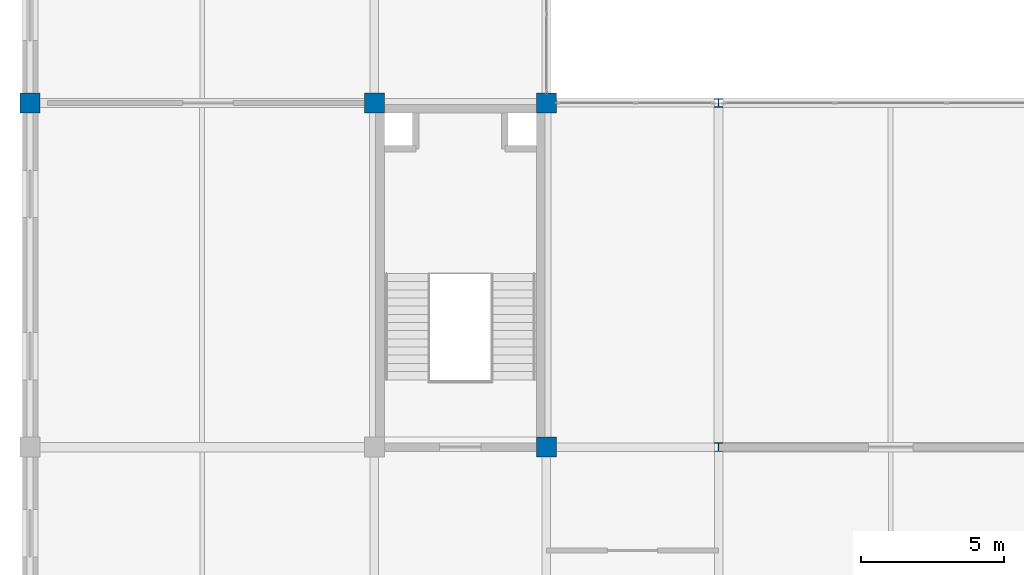
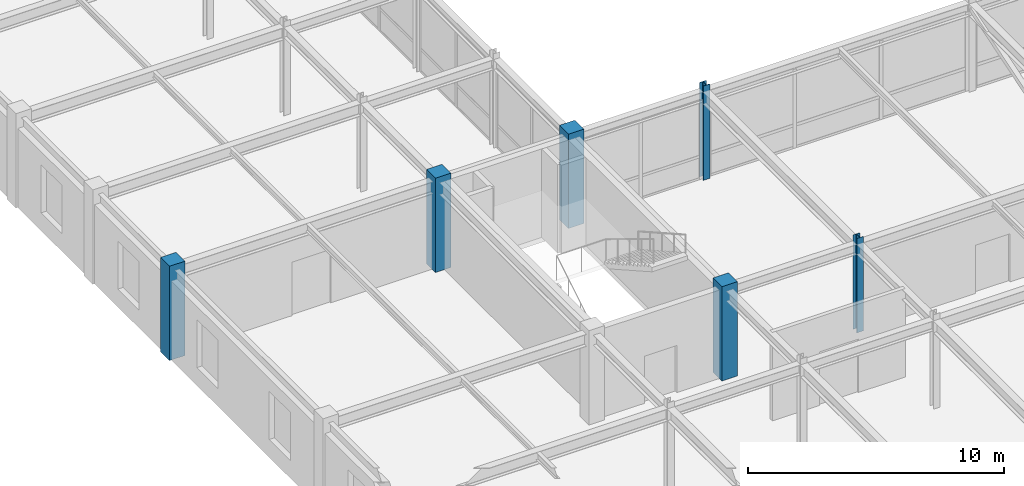
# One storey, part 2 of 108: 6 columns.
"""IFC4 building model written with IfcOpenShell, lengths in metres."""

from ifc_helpers import new_model, si_unit, direction, frame, origin, origin_2d, place, context, subcontext, project, spatial, rectangle, i_section, extrude, material, material_profile, profile_set, type_object, element, save


model = new_model("IFC4")

# Units and contexts
model_context = context("Model", 3, precision=1e-05, world=origin(), true_north=direction((0.0, 1.0)))
body_context = subcontext(model_context, "Body", "Model", "MODEL_VIEW")
ifc_project = project(units=[si_unit("LENGTHUNIT", "METRE"), si_unit("AREAUNIT", "SQUARE_METRE"), si_unit("VOLUMEUNIT", "CUBIC_METRE"), si_unit("PLANEANGLEUNIT", "RADIAN"), si_unit("MASSUNIT", "GRAM", prefix="KILO")], contexts=[model_context])

# Site, building, storey
site_placement = place(None, origin())
site = spatial("IfcSite", under=ifc_project, at=site_placement, CompositionType="ELEMENT")
building_placement = place(site_placement, origin())
building = spatial("IfcBuilding", under=site, at=building_placement, Name="Zlatovratsky Civic Hall", CompositionType="ELEMENT")
storey_placement = place(building_placement, frame((0.0, 0.0, 12.0)))
storey = spatial("IfcBuildingStorey", under=building, at=storey_placement, Name="L03", CompositionType="ELEMENT", Elevation=12.0)

# Columns
ifc_material_1 = material(Name="Concrete C35/45 (B40)", Category="concrete")
ifc_material_profile_1 = material_profile(ifc_material_1, rectangle(XDim=0.699951171875, YDim=0.699951171875, at=origin_2d()), Name="RC 700x700")
ifc_profile_set_1 = profile_set([ifc_material_profile_1], Name="Concrete C35/45 (B40)")
column_type_1 = type_object("IfcColumnType", Name="Col_CorePier_RC700", PredefinedType="COLUMN", material=ifc_profile_set_1)
for number, where, z_axis, x_axis, name in (
    (1, (18.0, 18.0, 0.0), (0.0, 0.0, 1.0), (1.0, 0.0, 0.0), "CL-1228"),
    (2, (0.0, 30.0, 0.0), (0.0, 0.0, 1.0), (1.0, 0.0, 0.0), "CL-1249"),
    (3, (12.0, 30.0, 0.0), (0.0, 0.0, 1.0), (1.0, 0.0, 0.0), "CL-1250"),
    (4, (18.0, 30.0, 0.0), (0.0, 0.0, 1.0), (1.0, 0.0, 0.0), "CL-1251"),
):
    element("IfcColumn", number, at=place(storey_placement, frame(where, z_axis=z_axis, x_axis=x_axis)), inside=storey, type_object=column_type_1, Name=name, PredefinedType="COLUMN", context=body_context, shape_type="SweptSolid", body=[
        extrude(rectangle(XDim=0.699951171875, YDim=0.699951171875, at=origin_2d()), origin(), (0.0, 0.0, 1.0), 4.5),
    ])
ifc_material_2 = material(Name="Steel S355", Category="steel")
ifc_material_profile_2 = material_profile(ifc_material_2, i_section(OverallWidth=0.299072265625, OverallDepth=0.2958984375, WebThickness=0.009033203125, FlangeThickness=0.013916015625, FilletRadius=0.01806640625, at=origin_2d()), Name="30K1")
ifc_profile_set_2 = profile_set([ifc_material_profile_2], Name="Steel S355")
column_type_2 = type_object("IfcColumnType", Name="Col_Steel_30K1", PredefinedType="COLUMN", material=ifc_profile_set_2)
for number, where, z_axis, x_axis, name in (
    (5, (24.0, 18.0, 0.0), (0.0, 0.0, 1.0), (1.0, 0.0, 0.0), "CL-1229"),
    (6, (24.0, 30.0, 0.0), (0.0, 0.0, 1.0), (1.0, 0.0, 0.0), "CL-1252"),
):
    element("IfcColumn", number, at=place(storey_placement, frame(where, z_axis=z_axis, x_axis=x_axis)), inside=storey, type_object=column_type_2, Name=name, PredefinedType="COLUMN", context=body_context, shape_type="SweptSolid", body=[
        extrude(i_section(OverallWidth=0.299072265625, OverallDepth=0.2958984375, WebThickness=0.009033203125, FlangeThickness=0.013916015625, FilletRadius=0.01806640625, at=origin_2d()), origin(), (0.0, 0.0, 1.0), 4.5),
    ])

save(model, "model.ifc")
